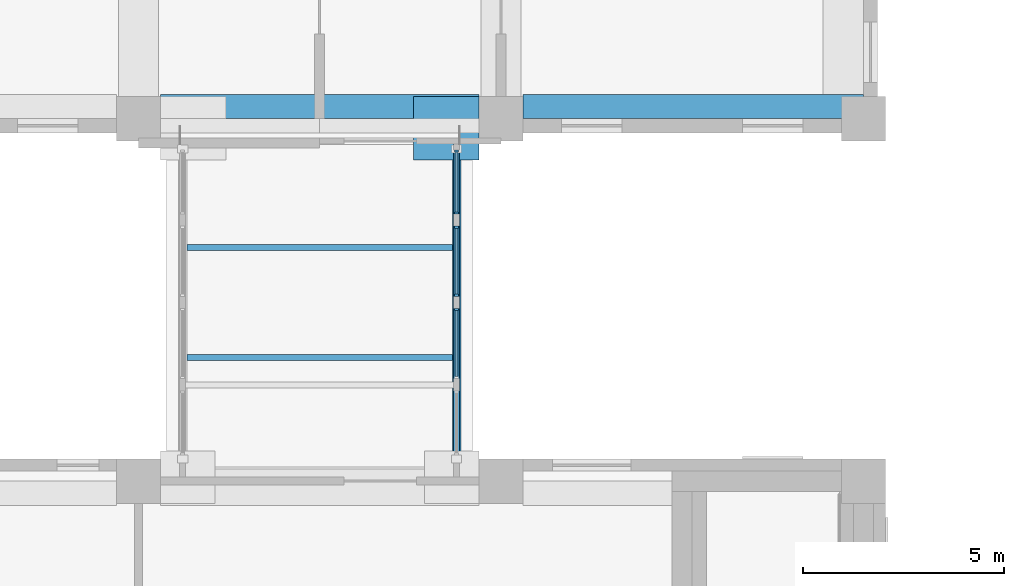
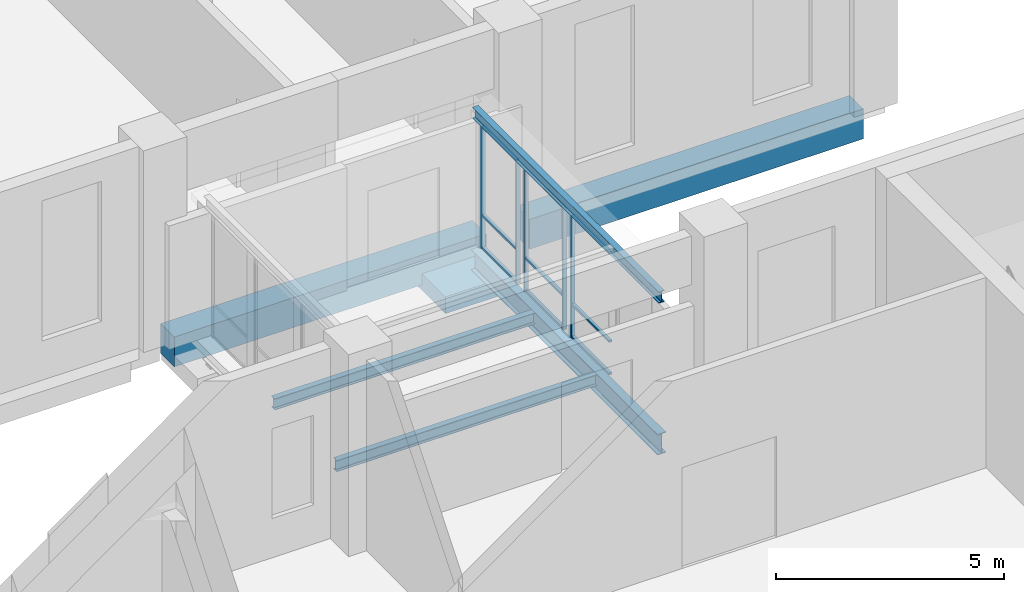
# One storey, part 14 of 52: 15 members, 6 beams, 3 elements without a shape of their own.
"""IFC4 building model written with IfcOpenShell, lengths in metres."""

from ifc_helpers import new_model, si_unit, direction, frame, origin, origin_2d, place, context, subcontext, project, spatial, rectangle, i_section, extrude, material, layer, layer_set, material_profile, profile_set, type_object, element, aggregate, save


model = new_model("IFC4")

# Units and contexts
model_context = context("Model", 3, precision=1e-05, world=origin(), true_north=direction((0.0, 1.0)))
body_context = subcontext(model_context, "Body", "Model", "MODEL_VIEW")
ifc_project = project(units=[si_unit("LENGTHUNIT", "METRE"), si_unit("AREAUNIT", "SQUARE_METRE"), si_unit("VOLUMEUNIT", "CUBIC_METRE"), si_unit("PLANEANGLEUNIT", "RADIAN"), si_unit("MASSUNIT", "GRAM", prefix="KILO")], contexts=[model_context])

# Site, building, storey
site_placement = place(None, origin())
site = spatial("IfcSite", under=ifc_project, at=site_placement, CompositionType="ELEMENT")
building_placement = place(site_placement, origin())
building = spatial("IfcBuilding", under=site, at=building_placement, Name="Aurelan Courthouse", CompositionType="ELEMENT")
storey_placement = place(building_placement, frame((0.0, 0.0, 6.60009765625)))
storey = spatial("IfcBuildingStorey", under=building, at=storey_placement, Name="L01", CompositionType="ELEMENT", Elevation=6.60009765625)

# Beams
ifc_material_1 = material(Name="Steel S355", Category="steel")
ifc_material_profile_1 = material_profile(ifc_material_1, i_section(OverallWidth=0.14990234375, OverallDepth=0.300048828125, WebThickness=0.007080078125, FlangeThickness=0.0107421875, FilletRadius=0.014892578125, at=origin_2d()), Name="IPE 300")
ifc_profile_set_1 = profile_set([ifc_material_profile_1], Name="Steel S355")
beam_type_1 = type_object("IfcBeamType", Name="Bridge cross beam IPE 300", PredefinedType="BEAM", material=ifc_profile_set_1)
for number, where, z_axis, x_axis, name in (
    (1, (46.205078125, 31.574951171875, -0.35009765625), (1.0, 0.0, 0.0), (0.0, 1.0, 0.0), "Bridge cross beam BX-5"),
    (2, (46.205078125, 34.300048828125, -0.35009765625), (1.0, 0.0, 0.0), (0.0, 1.0, 0.0), "Bridge cross beam BX-6"),
):
    element("IfcBeam", number, at=place(storey_placement, frame(where, z_axis=z_axis, x_axis=x_axis)), inside=storey, type_object=beam_type_1, Name=name, PredefinedType="BEAM", context=body_context, shape_type="SweptSolid", body=[
        extrude(i_section(OverallWidth=0.14990234375, OverallDepth=0.300048828125, WebThickness=0.007080078125, FlangeThickness=0.0107421875, FilletRadius=0.014892578125, at=origin_2d()), origin(), (0.0, 0.0, 1.0), 6.58984375),
    ])
ifc_material_profile_2 = material_profile(ifc_material_1, i_section(OverallWidth=0.2099609375, OverallDepth=0.550048828125, WebThickness=0.010986328125, FlangeThickness=0.01708984375, FilletRadius=0.02392578125, at=origin_2d()), Name="IPE 550")
ifc_profile_set_2 = profile_set([ifc_material_profile_2], Name="Steel S355")
beam_type_2 = type_object("IfcBeamType", Name="Bridge girder IPE 550", PredefinedType="BEAM", material=ifc_profile_set_2)
beam_1_placement = place(storey_placement, frame((52.89990234375, 28.85009765625, -0.47509765625), z_axis=(0.0, 1.0, 0.0), x_axis=(-1.0, 0.0, 0.0)))
element("IfcBeam", 3, at=beam_1_placement, inside=storey, type_object=beam_type_2, Name="Bridge girder BG-6", PredefinedType="BEAM", context=body_context, shape_type="SweptSolid", body=[
    extrude(i_section(OverallWidth=0.2099609375, OverallDepth=0.550048828125, WebThickness=0.010986328125, FlangeThickness=0.01708984375, FilletRadius=0.02392578125, at=origin_2d()), origin(), (0.0, 0.0, 1.0), 8.1748046875),
])

# Member
ifc_material_2 = material(Name="Concrete C50", Category="concrete")
member_type_1 = type_object("IfcMemberType", Name="Corbel 1575 x 1625 x 450", PredefinedType="USERDEFINED", material=ifc_material_2)
member_1_placement = place(storey_placement, frame((52.637451171875, 37.262451171875, -1.25), z_axis=(0.0, 0.0, 1.0), x_axis=(1.0, 0.0, 0.0)))
element("IfcMember", 4, at=member_1_placement, inside=storey, type_object=member_type_1, Name="Corbel CO-12", ObjectType="CORBEL", PredefinedType="USERDEFINED", context=body_context, shape_type="SweptSolid", body=[
    extrude(rectangle(XDim=1.625, YDim=1.574951171875, at=origin_2d()), origin(), (0.0, 0.0, 1.0), 0.449951171875),
])

# Beam
ifc_material_profile_3 = material_profile(ifc_material_1, i_section(OverallWidth=0.14990234375, OverallDepth=0.300048828125, WebThickness=0.007080078125, FlangeThickness=0.0107421875, FilletRadius=0.014892578125, at=origin_2d()), Name="IPE 300")
ifc_profile_set_3 = profile_set([ifc_material_profile_3], Name="Steel S355")
beam_type_3 = type_object("IfcBeamType", Name="Passage edge beam IPE 300", PredefinedType="BEAM", material=ifc_profile_set_3)
beam_2_placement = place(storey_placement, frame((52.89990234375, 28.85009765625, 3.449951171875), z_axis=(0.0, 1.0, 0.0), x_axis=(-1.0, 0.0, 0.0)))
element("IfcBeam", 5, at=beam_2_placement, inside=storey, type_object=beam_type_3, Name="Passage edge beam BR3-BB", PredefinedType="BEAM", context=body_context, shape_type="SweptSolid", body=[
    extrude(i_section(OverallWidth=0.14990234375, OverallDepth=0.300048828125, WebThickness=0.007080078125, FlangeThickness=0.0107421875, FilletRadius=0.014892578125, at=origin_2d()), origin(), (0.0, 0.0, 1.0), 8.1748046875),
])

# Curtain wall, member
ifc_material_3 = material(Name="Bronze-finished aluminium and glass", Category="aluminium")
ifc_layer_1 = layer(ifc_material_3, 0.1201171875)
ifc_layer_set_1 = layer_set([ifc_layer_1], Name="Bronze-finished aluminium and glass")
curtain_wall_type_1 = type_object("IfcCurtainWallType", Name="Passage glazing 1744 x 3300", PredefinedType="NOTDEFINED", material=ifc_layer_set_1)
curtain_wall_1_placement = place(storey_placement, origin())
curtain_wall_1 = element("IfcCurtainWall", 6, at=curtain_wall_1_placement, inside=storey, type_object=curtain_wall_type_1, Name="Curtain wall CW-L01-BR306", PredefinedType="NOTDEFINED")
ifc_material_4 = material(Name="Bronze-finished aluminium", Category="aluminium")
ifc_material_profile_4 = material_profile(ifc_material_4, rectangle(XDim=0.10009765625, YDim=0.054931640625, at=origin_2d()), Name="Passage glazing mullion 55 x 100")
ifc_profile_set_4 = profile_set([ifc_material_profile_4], Name="Bronze-finished aluminium")
member_type_2 = type_object("IfcMemberType", Name="Passage glazing mullion 55 x 100", PredefinedType="MULLION", material=ifc_profile_set_4)
member_2_placement = place(storey_placement, frame((52.89990234375, 32.760009765625, 0.0), z_axis=(0.0, 0.0, 1.0), x_axis=(-1.0, 0.0, 0.0)))
member_2 = element("IfcMember", 7, at=member_2_placement, type_object=member_type_2, Name="CW-L01-BR306 mullion 2", PredefinedType="MULLION", context=body_context, shape_type="SweptSolid", body=[
    extrude(rectangle(XDim=0.10009765625, YDim=0.054931640625, at=origin_2d()), origin(), (0.0, 0.0, 1.0), 3.2998046875),
])

# Curtain wall, members
curtain_wall_2_placement = place(storey_placement, origin())
curtain_wall_2 = element("IfcCurtainWall", 8, at=curtain_wall_2_placement, inside=storey, type_object=curtain_wall_type_1, Name="Curtain wall CW-L01-BR307", PredefinedType="NOTDEFINED")
member_3_placement = place(storey_placement, frame((52.89990234375, 33.114990234375, 0.0), z_axis=(0.0, 0.0, 1.0), x_axis=(-1.0, 0.0, 0.0)))
member_3 = element("IfcMember", 9, at=member_3_placement, type_object=member_type_2, Name="CW-L01-BR307 mullion 1", PredefinedType="MULLION", context=body_context, shape_type="SweptSolid", body=[
    extrude(rectangle(XDim=0.10009765625, YDim=0.054931640625, at=origin_2d()), origin(), (0.0, 0.0, 1.0), 3.2998046875),
])
member_4_placement = place(storey_placement, frame((52.89990234375, 34.8037109375, 0.0), z_axis=(0.0, 0.0, 1.0), x_axis=(-1.0, 0.0, 0.0)))
member_4 = element("IfcMember", 10, at=member_4_placement, type_object=member_type_2, Name="CW-L01-BR307 mullion 2", PredefinedType="MULLION", context=body_context, shape_type="SweptSolid", body=[
    extrude(rectangle(XDim=0.10009765625, YDim=0.054931640625, at=origin_2d()), origin(), (0.0, 0.0, 1.0), 3.2998046875),
])

ifc_layer_2 = layer(ifc_material_3, 0.1201171875)
ifc_layer_set_2 = layer_set([ifc_layer_2], Name="Bronze-finished aluminium and glass")
curtain_wall_type_2 = type_object("IfcCurtainWallType", Name="Passage glazing 1594 x 3300", PredefinedType="NOTDEFINED", material=ifc_layer_set_2)
curtain_wall_3_placement = place(storey_placement, origin())
curtain_wall_3 = element("IfcCurtainWall", 11, at=curtain_wall_3_placement, inside=storey, type_object=curtain_wall_type_2, Name="Curtain wall CW-L01-BR308", PredefinedType="NOTDEFINED")
member_5_placement = place(storey_placement, frame((52.89990234375, 35.15869140625, 0.0), z_axis=(0.0, 0.0, 1.0), x_axis=(-1.0, 0.0, 0.0)))
member_5 = element("IfcMember", 12, at=member_5_placement, type_object=member_type_2, Name="CW-L01-BR308 mullion 1", PredefinedType="MULLION", context=body_context, shape_type="SweptSolid", body=[
    extrude(rectangle(XDim=0.10009765625, YDim=0.054931640625, at=origin_2d()), origin(), (0.0, 0.0, 1.0), 3.2998046875),
])
member_6_placement = place(storey_placement, frame((52.89990234375, 36.697509765625, 0.0), z_axis=(0.0, 0.0, 1.0), x_axis=(-1.0, 0.0, 0.0)))
member_6 = element("IfcMember", 13, at=member_6_placement, type_object=member_type_2, Name="CW-L01-BR308 mullion 2", PredefinedType="MULLION", context=body_context, shape_type="SweptSolid", body=[
    extrude(rectangle(XDim=0.10009765625, YDim=0.054931640625, at=origin_2d()), origin(), (0.0, 0.0, 1.0), 3.2998046875),
])

# Member
ifc_material_profile_5 = material_profile(ifc_material_4, rectangle(XDim=0.080078125, YDim=0.054931640625, at=origin_2d()), Name="Passage glazing transom 55 x 80")
ifc_profile_set_5 = profile_set([ifc_material_profile_5], Name="Bronze-finished aluminium")
member_type_3 = type_object("IfcMemberType", Name="Passage glazing transom 55 x 80", PredefinedType="USERDEFINED", material=ifc_profile_set_5)
member_7_placement = place(storey_placement, frame((52.89990234375, 31.0986328125, 0.02734375), z_axis=(0.0, 1.0, 0.0), x_axis=(-1.0, 0.0, 0.0)))
member_7 = element("IfcMember", 14, at=member_7_placement, type_object=member_type_3, Name="CW-L01-BR306 transom 1.1", ObjectType="TRANSOM", PredefinedType="USERDEFINED", context=body_context, shape_type="SweptSolid", body=[
    extrude(rectangle(XDim=0.080078125, YDim=0.054931640625, at=origin_2d()), origin(), (0.0, 0.0, 1.0), 1.6337890625),
])

member_8_placement = place(storey_placement, frame((52.89990234375, 31.0986328125, 0.89990234375), z_axis=(0.0, 1.0, 0.0), x_axis=(-1.0, 0.0, 0.0)))
member_8 = element("IfcMember", 15, at=member_8_placement, type_object=member_type_3, Name="CW-L01-BR306 transom 1.2", ObjectType="TRANSOM", PredefinedType="USERDEFINED", context=body_context, shape_type="SweptSolid", body=[
    extrude(rectangle(XDim=0.080078125, YDim=0.054931640625, at=origin_2d()), origin(), (0.0, 0.0, 1.0), 1.6337890625),
])

member_9_placement = place(storey_placement, frame((52.89990234375, 31.0986328125, 3.2724609375), z_axis=(0.0, 1.0, 0.0), x_axis=(-1.0, 0.0, 0.0)))
member_9 = element("IfcMember", 16, at=member_9_placement, type_object=member_type_3, Name="CW-L01-BR306 transom 1.3", ObjectType="TRANSOM", PredefinedType="USERDEFINED", context=body_context, shape_type="SweptSolid", body=[
    extrude(rectangle(XDim=0.080078125, YDim=0.054931640625, at=origin_2d()), origin(), (0.0, 0.0, 1.0), 1.6337890625),
])

aggregate(curtain_wall_1, [member_2, member_7, member_8, member_9])

member_10_placement = place(storey_placement, frame((52.89990234375, 33.142578125, 0.02734375), z_axis=(0.0, 1.0, 0.0), x_axis=(-1.0, 0.0, 0.0)))
member_10 = element("IfcMember", 17, at=member_10_placement, type_object=member_type_3, Name="CW-L01-BR307 transom 1.1", ObjectType="TRANSOM", PredefinedType="USERDEFINED", context=body_context, shape_type="SweptSolid", body=[
    extrude(rectangle(XDim=0.080078125, YDim=0.054931640625, at=origin_2d()), origin(), (0.0, 0.0, 1.0), 1.6337890625),
])

member_11_placement = place(storey_placement, frame((52.89990234375, 33.142578125, 0.89990234375), z_axis=(0.0, 1.0, 0.0), x_axis=(-1.0, 0.0, 0.0)))
member_11 = element("IfcMember", 18, at=member_11_placement, type_object=member_type_3, Name="CW-L01-BR307 transom 1.2", ObjectType="TRANSOM", PredefinedType="USERDEFINED", context=body_context, shape_type="SweptSolid", body=[
    extrude(rectangle(XDim=0.080078125, YDim=0.054931640625, at=origin_2d()), origin(), (0.0, 0.0, 1.0), 1.6337890625),
])

member_12_placement = place(storey_placement, frame((52.89990234375, 33.142578125, 3.2724609375), z_axis=(0.0, 1.0, 0.0), x_axis=(-1.0, 0.0, 0.0)))
member_12 = element("IfcMember", 19, at=member_12_placement, type_object=member_type_3, Name="CW-L01-BR307 transom 1.3", ObjectType="TRANSOM", PredefinedType="USERDEFINED", context=body_context, shape_type="SweptSolid", body=[
    extrude(rectangle(XDim=0.080078125, YDim=0.054931640625, at=origin_2d()), origin(), (0.0, 0.0, 1.0), 1.6337890625),
])

aggregate(curtain_wall_2, [member_3, member_4, member_10, member_11, member_12])

member_13_placement = place(storey_placement, frame((52.89990234375, 35.186279296875, 0.02734375), z_axis=(0.0, 1.0, 0.0), x_axis=(-1.0, 0.0, 0.0)))
member_13 = element("IfcMember", 20, at=member_13_placement, type_object=member_type_3, Name="CW-L01-BR308 transom 1.1", ObjectType="TRANSOM", PredefinedType="USERDEFINED", context=body_context, shape_type="SweptSolid", body=[
    extrude(rectangle(XDim=0.080078125, YDim=0.054931640625, at=origin_2d()), origin(), (0.0, 0.0, 1.0), 1.483642578125),
])

member_14_placement = place(storey_placement, frame((52.89990234375, 35.186279296875, 0.89990234375), z_axis=(0.0, 1.0, 0.0), x_axis=(-1.0, 0.0, 0.0)))
member_14 = element("IfcMember", 21, at=member_14_placement, type_object=member_type_3, Name="CW-L01-BR308 transom 1.2", ObjectType="TRANSOM", PredefinedType="USERDEFINED", context=body_context, shape_type="SweptSolid", body=[
    extrude(rectangle(XDim=0.080078125, YDim=0.054931640625, at=origin_2d()), origin(), (0.0, 0.0, 1.0), 1.483642578125),
])

member_15_placement = place(storey_placement, frame((52.89990234375, 35.186279296875, 3.2724609375), z_axis=(0.0, 1.0, 0.0), x_axis=(-1.0, 0.0, 0.0)))
member_15 = element("IfcMember", 22, at=member_15_placement, type_object=member_type_3, Name="CW-L01-BR308 transom 1.3", ObjectType="TRANSOM", PredefinedType="USERDEFINED", context=body_context, shape_type="SweptSolid", body=[
    extrude(rectangle(XDim=0.080078125, YDim=0.054931640625, at=origin_2d()), origin(), (0.0, 0.0, 1.0), 1.483642578125),
])

aggregate(curtain_wall_3, [member_5, member_6, member_13, member_14, member_15])

# Beams
ifc_material_profile_6 = material_profile(ifc_material_2, rectangle(XDim=0.60009765625, YDim=0.800048828125, at=origin_2d()), Name="RC 600 x 800")
ifc_profile_set_6 = profile_set([ifc_material_profile_6], Name="Concrete C50")
beam_type_4 = type_object("IfcBeamType", Name="RC spandrel beam 600 x 800", PredefinedType="SPANDREL", material=ifc_profile_set_6)
beam_3_placement = place(storey_placement, frame((45.550048828125, 37.800048828125, -0.7001953125), z_axis=(1.0, 0.0, 0.0), x_axis=(0.0, 1.0, 0.0)))
element("IfcBeam", 23, at=beam_3_placement, inside=storey, type_object=beam_type_4, Name="Spandrel beam SB-D-6-7", PredefinedType="SPANDREL", context=body_context, shape_type="SweptSolid", body=[
    extrude(rectangle(XDim=0.60009765625, YDim=0.800048828125, at=origin_2d()), origin(), (0.0, 0.0, 1.0), 7.89990234375),
])
beam_4_placement = place(storey_placement, frame((54.550048828125, 37.800048828125, -0.7001953125), z_axis=(1.0, 0.0, 0.0), x_axis=(0.0, 1.0, 0.0)))
element("IfcBeam", 24, at=beam_4_placement, inside=storey, type_object=beam_type_4, Name="Spandrel beam SB-D-7-8", PredefinedType="SPANDREL", context=body_context, shape_type="SweptSolid", body=[
    extrude(rectangle(XDim=0.60009765625, YDim=0.800048828125, at=origin_2d()), origin(), (0.0, 0.0, 1.0), 8.449951171875),
])

save(model, "model.ifc")
